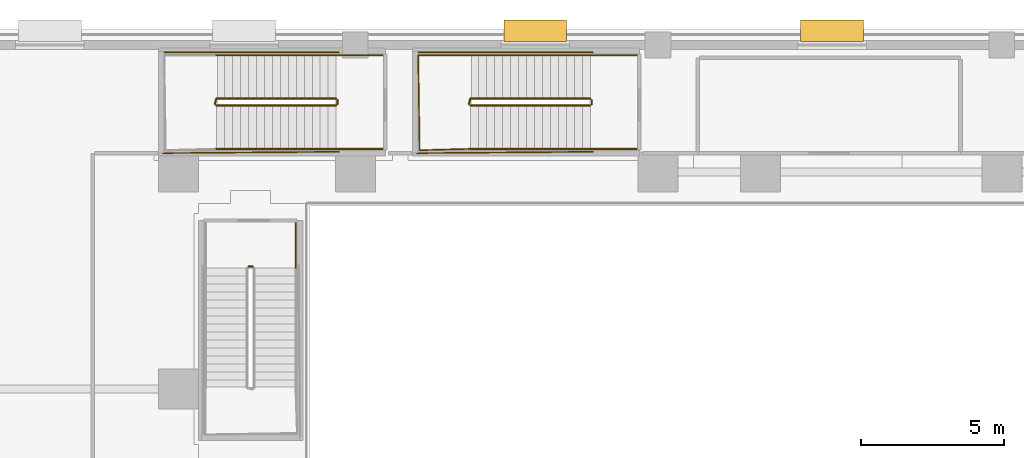
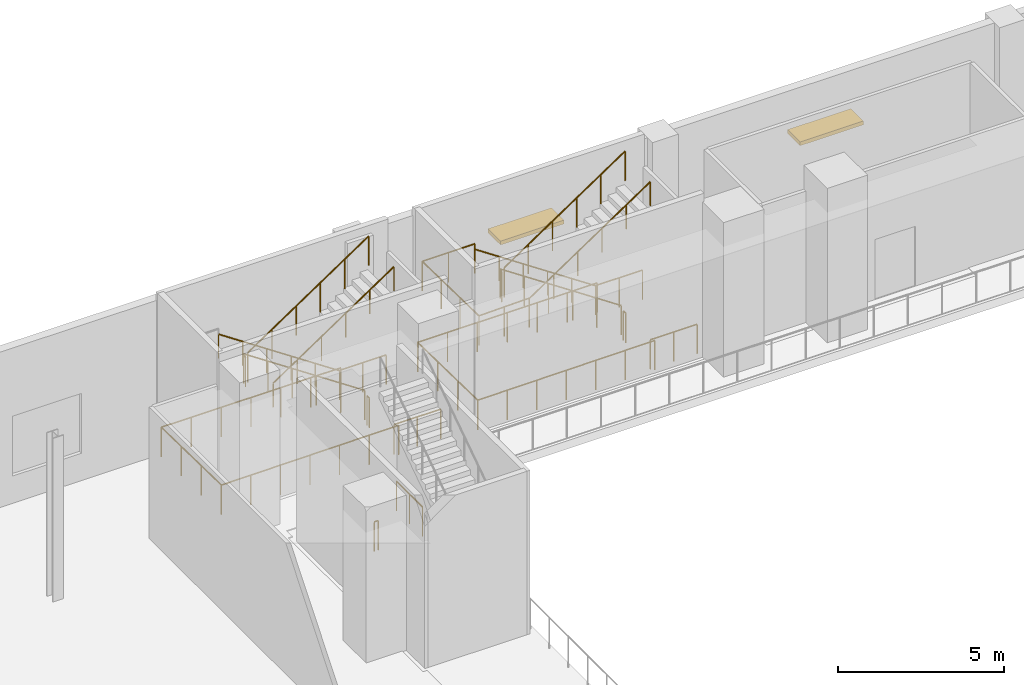
# One storey, part 22 of 29: 19 railings, 2 shading devices.
"""IFC4 building model written with IfcOpenShell, lengths in metres."""

import ifcopenshell
import ifcopenshell.guid

model = None  # the IFC model being written
_history = None  # IfcOwnerHistory: only IFC2X3 demands one
_inside = {}  # id of a spatial element -> (the spatial element, [elements in it])
_under = {}  # id of a project, library or spatial element -> (it, [spatial elements below it])
_declared = {}  # id of a project -> (the project, [libraries it declares])
_typed = {}  # id of a type object -> (the type object, [elements of that type])
_made_of = {}  # id of a material, layer set ... -> (it, [elements and type objects made of it])


def new_model(schema):
    """Start an empty IFC model of exactly this schema.

    Asked for "IFC4X3", IfcOpenShell would pick the latest addendum, in which some entities
    have other attributes; the version numbers below select the first issue.
    IFC2X3 requires an IfcOwnerHistory on every rooted entity: one is made here for all.
    """
    global model, _history
    if schema == "IFC4X3":
        model = ifcopenshell.file(schema_version=(4, 3, 0, 0))
    else:
        model = ifcopenshell.file(schema=schema)
    _inside.clear()
    _under.clear()
    _declared.clear()
    _typed.clear()
    _made_of.clear()
    _history = None
    if model.schema == "IFC2X3":
        org = make("IfcOrganization", Name="unknown")
        user = make(
            "IfcPersonAndOrganization",
            ThePerson=make("IfcPerson", FamilyName="unknown"),
            TheOrganization=org,
        )
        app = make(
            "IfcApplication",
            ApplicationDeveloper=org,
            Version="unknown",
            ApplicationFullName="unknown",
            ApplicationIdentifier="unknown",
        )
        _history = make(
            "IfcOwnerHistory",
            OwningUser=user,
            OwningApplication=app,
            ChangeAction="ADDED",
            CreationDate=0,
        )
    return model


def make(cls, **values):
    """One entity of the class cls with the attributes given. An attribute that is None is left unset."""
    return model.create_entity(
        cls, **{name: value for name, value in values.items() if value is not None}
    )


def rooted(cls, **values):
    """An entity with a GlobalId (a new one), such as an element, a storey or a relation."""
    return make(cls, GlobalId=ifcopenshell.guid.new(), OwnerHistory=_history, **values)


def si_unit(unit_type, name, prefix=None):
    """IfcSIUnit, for example si_unit("LENGTHUNIT", "METRE", prefix="MILLI")."""
    return make("IfcSIUnit", UnitType=unit_type, Prefix=prefix, Name=name)


def assignment(units):
    """IfcUnitAssignment: the units of a project."""
    return None if units is None else make("IfcUnitAssignment", Units=units)


def point(xyz):
    """IfcCartesianPoint."""
    return None if xyz is None else make("IfcCartesianPoint", Coordinates=xyz)


def direction(xyz):
    """IfcDirection."""
    return None if xyz is None else make("IfcDirection", DirectionRatios=xyz)


def frame(location, z_axis=None, x_axis=None):
    """IfcAxis2Placement3D, a coordinate frame: its origin and axes. An axis left out is left unset."""
    return make(
        "IfcAxis2Placement3D",
        Location=point(location),
        Axis=direction(z_axis),
        RefDirection=direction(x_axis),
    )


def frame_2d(location, x_axis=None):
    """IfcAxis2Placement2D, a coordinate frame in the plane: its origin and x axis."""
    return make(
        "IfcAxis2Placement2D", Location=point(location), RefDirection=direction(x_axis)
    )


def origin():
    """The frame at (0, 0, 0) with its axes left unset."""
    return frame((0.0, 0.0, 0.0))


def origin_2d():
    """The frame at (0, 0) in the plane with its x axis left unset."""
    return frame_2d((0.0, 0.0))


def place(relative_to, where):
    """IfcLocalPlacement: puts the frame where relative to a parent placement (None: the world)."""
    return make(
        "IfcLocalPlacement", PlacementRelTo=relative_to, RelativePlacement=where
    )


def context(
    kind, dimensions, precision=None, world=None, true_north=None, identifier=None
):
    """IfcGeometricRepresentationContext, for example the 3D "Model" context."""
    return make(
        "IfcGeometricRepresentationContext",
        ContextIdentifier=identifier,
        ContextType=kind,
        CoordinateSpaceDimension=dimensions,
        Precision=precision,
        WorldCoordinateSystem=world,
        TrueNorth=true_north,
    )


def subcontext(parent, identifier, kind, view, scale=None):
    """IfcGeometricRepresentationSubContext, for example "Body" below "Model"."""
    return make(
        "IfcGeometricRepresentationSubContext",
        ContextIdentifier=identifier,
        ContextType=kind,
        ParentContext=parent,
        TargetScale=scale,
        TargetView=view,
    )


def project(units=None, contexts=None):
    """IfcProject with its units and contexts."""
    return rooted(
        "IfcProject",
        Name="project",
        RepresentationContexts=contexts,
        UnitsInContext=assignment(units),
    )


def spatial(cls, under=None, at=None, **own):
    """A site, building, storey or space (cls), placed at a placement, below another one or the project."""
    s = rooted(cls, ObjectPlacement=at, **own)
    if under is not None:
        _under.setdefault(under.id(), (under, []))[1].append(s)
    return s


def profile(cls, at=None, kind="AREA", **sizes):
    """A parametric profile (cls). Its sizes go by their IFC names, for example OverallWidth=200.0."""
    return make(cls, ProfileType=kind, Position=at, **sizes)


def rectangle(**sizes):
    """IfcRectangleProfileDef."""
    return profile("IfcRectangleProfileDef", **sizes)


def circle(**sizes):
    """IfcCircleProfileDef."""
    return profile("IfcCircleProfileDef", **sizes)


def extrude(swept, where, along, depth):
    """IfcExtrudedAreaSolid: the profile swept, set in the frame where, extruded along a direction by depth."""
    return make(
        "IfcExtrudedAreaSolid",
        SweptArea=swept,
        Position=where,
        ExtrudedDirection=direction(along),
        Depth=depth,
    )


def shape(context_of_items, identifier, shape_type, items):
    """IfcShapeRepresentation: the items that make up one representation, for example the "Body"."""
    return make(
        "IfcShapeRepresentation",
        ContextOfItems=context_of_items,
        RepresentationIdentifier=identifier,
        RepresentationType=shape_type,
        Items=items,
    )


def material(Name=None, Category=None):
    """IfcMaterial."""
    return make("IfcMaterial", Name=Name, Category=Category)


def layer(
    of_material, thickness, ventilated=None, Name=None, Category=None, Priority=None
):
    """IfcMaterialLayer: one layer of a wall or slab, of a material (None: an air gap)."""
    return make(
        "IfcMaterialLayer",
        Material=of_material,
        LayerThickness=thickness,
        IsVentilated=ventilated,
        Name=Name,
        Category=Category,
        Priority=Priority,
    )


def layer_set(layers, Name=None):
    """IfcMaterialLayerSet."""
    return make("IfcMaterialLayerSet", MaterialLayers=layers, LayerSetName=Name)


def made_of(thing, what):
    """Note that an element or type object is made of a material, layer set ...; save() writes the relation."""
    if what is not None:
        _made_of.setdefault(what.id(), (what, []))[1].append(thing)
    return thing


def type_object(cls, material=None, **own):
    """A type object (cls), such as IfcWallType, which elements share."""
    return made_of(rooted(cls, **own), material)


def element(
    cls,
    number,
    at=None,
    inside=None,
    cuts=None,
    type_object=None,
    material=None,
    context=None,
    identifier="Body",
    shape_type=None,
    held_by="IfcProductDefinitionShape",
    body=None,
    shapes=None,
    **own,
):
    """One element of the class cls, such as IfcWall. Its Tag is "e" and its number.

    at: its placement. inside: the storey or other place that contains it. cuts: it is an
    opening in that element (IfcRelVoidsElement). A single representation is given by context,
    identifier, shape_type and body (its items); several are given by shapes. held_by: the class
    of the entity that holds the representations. save() writes the other relations.
    """
    e = rooted(cls, Tag="e%d" % number, ObjectPlacement=at, **own)
    if body is not None:
        shapes = [shape(context, identifier, shape_type, body)]
    if shapes is not None:
        e.Representation = make(held_by, Representations=shapes)
    if inside is not None:
        _inside.setdefault(inside.id(), (inside, []))[1].append(e)
    if cuts is not None:
        rooted(
            "IfcRelVoidsElement", RelatingBuildingElement=cuts, RelatedOpeningElement=e
        )
    if type_object is not None:
        _typed.setdefault(type_object.id(), (type_object, []))[1].append(e)
    return made_of(e, material)


def aggregate(whole, parts):
    """IfcRelAggregates: a whole, such as a stair, and the parts it consists of."""
    return rooted("IfcRelAggregates", RelatingObject=whole, RelatedObjects=parts)


def save(model, path):
    """Write the relations noted so far, then the file.

    IfcRelAggregates (storeys below a building ...), IfcRelContainedInSpatialStructure (elements
    in a storey), IfcRelDefinesByType, IfcRelAssociatesMaterial and IfcRelDeclares: one each for
    every whole, place, type object, material and project.
    """
    for whole, parts in _under.values():
        aggregate(whole, parts)
    for where, things in _inside.values():
        rooted(
            "IfcRelContainedInSpatialStructure",
            RelatedElements=things,
            RelatingStructure=where,
        )
    for kind, things in _typed.values():
        rooted("IfcRelDefinesByType", RelatedObjects=things, RelatingType=kind)
    for what, things in _made_of.values():
        rooted("IfcRelAssociatesMaterial", RelatedObjects=things, RelatingMaterial=what)
    for by, libraries in _declared.values():
        rooted("IfcRelDeclares", RelatingContext=by, RelatedDefinitions=libraries)
    model.write(path)


model = new_model("IFC4")

# Units and contexts
model_context = context("Model", 3, precision=1e-05, world=origin(), true_north=direction((0.0, 1.0)))
body_context = subcontext(model_context, "Body", "Model", "MODEL_VIEW")
ifc_project = project(units=[si_unit("LENGTHUNIT", "METRE"), si_unit("AREAUNIT", "SQUARE_METRE"), si_unit("VOLUMEUNIT", "CUBIC_METRE"), si_unit("PLANEANGLEUNIT", "RADIAN"), si_unit("MASSUNIT", "GRAM", prefix="KILO")], contexts=[model_context])

# Site, building, storey
site_placement = place(None, origin())
site = spatial("IfcSite", under=ifc_project, at=site_placement, CompositionType="ELEMENT")
building_placement = place(site_placement, origin())
building = spatial("IfcBuilding", under=site, at=building_placement, Name="Ndaravel Arena Tower", CompositionType="ELEMENT")
storey_placement = place(building_placement, frame((0.0, 0.0, 12.0)))
storey = spatial("IfcBuildingStorey", under=building, at=storey_placement, Name="L02", CompositionType="ELEMENT", Elevation=12.0)

# Railings
ifc_material_1 = material(Name="Steel S355", Category="steel")
ifc_layer_1 = layer(ifc_material_1, 0.06005859375)
ifc_layer_set_1 = layer_set([ifc_layer_1], Name="Steel S355")
railing_type_1 = type_object("IfcRailingType", Name="RAIL-STAIR-GD1100", PredefinedType="GUARDRAIL", material=ifc_layer_set_1)
railing_1_placement = place(storey_placement, frame((19.330078125, 45.570068359375, 0.1875)))
element("IfcRailing", 1, at=railing_1_placement, inside=storey, type_object=railing_type_1, Name="L02 ST-A08 stair guard 1", PredefinedType="GUARDRAIL", context=body_context, shape_type="SweptSolid", body=[
    extrude(circle(Radius=0.02392578125, at=origin_2d()), frame((0.0, 0.0, 1.076171875), z_axis=(-0.830919138977, 0.0, 0.55639319234), x_axis=(0.0, -1.0, 0.0)), (0.0, 0.0, 1.0), 5.054931640625),
    extrude(circle(Radius=0.02392578125, at=origin_2d()), frame((-4.2001953125, 0.0, 3.888671875), z_axis=(-0.253331722487, -0.967379469692, 0.0), x_axis=(0.967379469692, -0.253331722487, 0.0)), (0.0, 0.0, 1.0), 0.196533203125),
    extrude(circle(Radius=0.02099609375, at=origin_2d()), origin(), (0.0, 0.0, 1.0), 1.052001953125),
    extrude(circle(Radius=0.02099609375, at=origin_2d()), frame((-0.840087890625, 0.0, 0.5625)), (0.0, 0.0, 1.0), 1.052001953125),
    extrude(circle(Radius=0.02099609375, at=origin_2d()), frame((-1.68017578125, 0.0, 1.125)), (0.0, 0.0, 1.0), 1.052001953125),
    extrude(circle(Radius=0.02099609375, at=origin_2d()), frame((-2.52001953125, 0.0, 1.6875)), (0.0, 0.0, 1.0), 1.052001953125),
    extrude(circle(Radius=0.02099609375, at=origin_2d()), frame((-3.360107421875, 0.0, 2.25)), (0.0, 0.0, 1.0), 1.052001953125),
    extrude(circle(Radius=0.02099609375, at=origin_2d()), frame((-4.2001953125, 0.0, 2.8125)), (0.0, 0.0, 1.0), 1.052001953125),
    extrude(circle(Radius=0.02099609375, at=origin_2d()), frame((-4.25, -0.190185546875, 2.8125)), (0.0, 0.0, 1.0), 1.052001953125),
])
railing_2_placement = place(storey_placement, frame((15.1298828125, 45.330078125, 3.1875)))
element("IfcRailing", 2, at=railing_2_placement, inside=storey, type_object=railing_type_1, Name="L02 ST-A08 stair guard 3", PredefinedType="GUARDRAIL", context=body_context, shape_type="SweptSolid", body=[
    extrude(circle(Radius=0.02392578125, at=origin_2d()), frame((0.0, 0.0, 1.076171875), z_axis=(0.830919138977, 0.0, 0.55639319234), x_axis=(0.0, 1.0, 0.0)), (0.0, 0.0, 1.0), 5.054931640625),
    extrude(circle(Radius=0.02099609375, at=origin_2d()), origin(), (0.0, 0.0, 1.0), 1.052001953125),
    extrude(circle(Radius=0.02099609375, at=origin_2d()), frame((0.840087890625, 0.0, 0.5625)), (0.0, 0.0, 1.0), 1.052001953125),
    extrude(circle(Radius=0.02099609375, at=origin_2d()), frame((1.68017578125, 0.0, 1.125)), (0.0, 0.0, 1.0), 1.052001953125),
    extrude(circle(Radius=0.02099609375, at=origin_2d()), frame((2.52001953125, 0.0, 1.6875)), (0.0, 0.0, 1.0), 1.052001953125),
    extrude(circle(Radius=0.02099609375, at=origin_2d()), frame((3.360107421875, 0.0, 2.25)), (0.0, 0.0, 1.0), 1.052001953125),
    extrude(circle(Radius=0.02099609375, at=origin_2d()), frame((4.2001953125, 0.0, 2.8125)), (0.0, 0.0, 1.0), 1.052001953125),
])
railing_3_placement = place(storey_placement, frame((19.3798828125, 45.52001953125, 0.0)))
element("IfcRailing", 3, at=railing_3_placement, inside=storey, type_object=railing_type_1, Name="L02 ST-A08 stair guard 4", PredefinedType="GUARDRAIL", context=body_context, shape_type="SweptSolid", body=[
    extrude(circle(Radius=0.02392578125, at=origin_2d()), frame((0.0, 0.0, 1.076171875), z_axis=(0.0, -1.0, 0.0), x_axis=(1.0, 0.0, 0.0)), (0.0, 0.0, 1.0), 0.14013671875),
    extrude(circle(Radius=0.02099609375, at=origin_2d()), origin(), (0.0, 0.0, 1.0), 1.052001953125),
    extrude(circle(Radius=0.02099609375, at=origin_2d()), frame((0.0, -0.14013671875, 0.0)), (0.0, 0.0, 1.0), 1.052001953125),
])
for number, where, name in (
    (4, (20.949951171875, 47.090087890625, 0.0), "L02 ST-A08 stair guard 5"),
    (5, (20.949951171875, 43.81005859375, 0.0), "L02 ST-A08 stair guard 6"),
):
    element("IfcRailing", number, at=place(storey_placement, frame(where)), inside=storey, type_object=railing_type_1, Name=name, PredefinedType="GUARDRAIL", context=body_context, shape_type="SweptSolid", body=[
        extrude(circle(Radius=0.02392578125, at=origin_2d()), frame((0.0, 0.0, 1.076171875), z_axis=(-1.0, 0.0, 0.0), x_axis=(0.0, -1.0, 0.0)), (0.0, 0.0, 1.0), 1.619873046875),
        extrude(circle(Radius=0.02099609375, at=origin_2d()), origin(), (0.0, 0.0, 1.0), 1.052001953125),
        extrude(circle(Radius=0.02099609375, at=origin_2d()), frame((-0.81005859375, 0.0, 0.0)), (0.0, 0.0, 1.0), 1.052001953125),
        extrude(circle(Radius=0.02099609375, at=origin_2d()), frame((-1.619873046875, 0.0, 0.0)), (0.0, 0.0, 1.0), 1.052001953125),
    ])
railing_4_placement = place(storey_placement, frame((19.429931640625, 47.18994140625, 0.0)))
element("IfcRailing", 6, at=railing_4_placement, inside=storey, type_object=railing_type_1, Name="L02 ST-A08 stair guard 7", PredefinedType="GUARDRAIL", context=body_context, shape_type="SweptSolid", body=[
    extrude(circle(Radius=0.02392578125, at=origin_2d()), frame((0.0, 0.0, 1.076171875), z_axis=(-1.0, 0.0, 0.0), x_axis=(0.0, -1.0, 0.0)), (0.0, 0.0, 1.0), 6.22998046875),
    extrude(circle(Radius=0.02392578125, at=origin_2d()), frame((-6.22998046875, 0.0, 1.076171875), z_axis=(0.014176595818, -0.999899507016, 0.0), x_axis=(0.999899507016, 0.014176595818, 0.0)), (0.0, 0.0, 1.0), 3.5302734375),
    extrude(circle(Radius=0.02392578125, at=origin_2d()), frame((-6.179931640625, -3.530029296875, 1.076171875), z_axis=(0.999967207908, 0.008098339889, 0.0), x_axis=(-0.008098339889, 0.999967207908, 0.0)), (0.0, 0.0, 1.0), 6.18017578125),
    extrude(circle(Radius=0.02099609375, at=origin_2d()), origin(), (0.0, 0.0, 1.0), 1.052001953125),
    extrude(circle(Radius=0.02099609375, at=origin_2d()), frame((-1.038330078125, 0.0, 0.0)), (0.0, 0.0, 1.0), 1.052001953125),
    extrude(circle(Radius=0.02099609375, at=origin_2d()), frame((-2.07666015625, 0.0, 0.0)), (0.0, 0.0, 1.0), 1.052001953125),
    extrude(circle(Radius=0.02099609375, at=origin_2d()), frame((-3.114990234375, 0.0, 0.0)), (0.0, 0.0, 1.0), 1.052001953125),
    extrude(circle(Radius=0.02099609375, at=origin_2d()), frame((-4.1533203125, 0.0, 0.0)), (0.0, 0.0, 1.0), 1.052001953125),
    extrude(circle(Radius=0.02099609375, at=origin_2d()), frame((-5.191650390625, 0.0, 0.0)), (0.0, 0.0, 1.0), 1.052001953125),
    extrude(circle(Radius=0.02099609375, at=origin_2d()), frame((-6.22998046875, 0.0, 0.0)), (0.0, 0.0, 1.0), 1.052001953125),
    extrude(circle(Radius=0.02099609375, at=origin_2d()), frame((-6.21337890625, -1.1767578125, 0.0)), (0.0, 0.0, 1.0), 1.052001953125),
    extrude(circle(Radius=0.02099609375, at=origin_2d()), frame((-6.196533203125, -2.353271484375, 0.0)), (0.0, 0.0, 1.0), 1.052001953125),
    extrude(circle(Radius=0.02099609375, at=origin_2d()), frame((-6.179931640625, -3.530029296875, 0.0)), (0.0, 0.0, 1.0), 1.052001953125),
    extrude(circle(Radius=0.02099609375, at=origin_2d()), frame((-5.14990234375, -3.521728515625, 0.0)), (0.0, 0.0, 1.0), 1.052001953125),
    extrude(circle(Radius=0.02099609375, at=origin_2d()), frame((-4.119873046875, -3.513427734375, 0.0)), (0.0, 0.0, 1.0), 1.052001953125),
    extrude(circle(Radius=0.02099609375, at=origin_2d()), frame((-3.08984375, -3.5048828125, 0.0)), (0.0, 0.0, 1.0), 1.052001953125),
    extrude(circle(Radius=0.02099609375, at=origin_2d()), frame((-2.06005859375, -3.49658203125, 0.0)), (0.0, 0.0, 1.0), 1.052001953125),
    extrude(circle(Radius=0.02099609375, at=origin_2d()), frame((-1.030029296875, -3.48828125, 0.0)), (0.0, 0.0, 1.0), 1.052001953125),
    extrude(circle(Radius=0.02099609375, at=origin_2d()), frame((0.0, -3.47998046875, 0.0)), (0.0, 0.0, 1.0), 1.052001953125),
])
railing_5_placement = place(storey_placement, frame((28.22998046875, 45.570068359375, 0.1875)))
element("IfcRailing", 7, at=railing_5_placement, inside=storey, type_object=railing_type_1, Name="L02 ST-A09 stair guard 1", PredefinedType="GUARDRAIL", context=body_context, shape_type="SweptSolid", body=[
    extrude(circle(Radius=0.02392578125, at=origin_2d()), frame((0.0, 0.0, 1.076171875), z_axis=(-0.830904186295, 0.0, 0.556415522067), x_axis=(0.0, -1.0, 0.0)), (0.0, 0.0, 1.0), 5.0546875),
    extrude(circle(Radius=0.02392578125, at=origin_2d()), frame((-4.199951171875, 0.0, 3.888671875), z_axis=(-0.25449329928, -0.967074537263, 0.0), x_axis=(0.967074537263, -0.25449329928, 0.0)), (0.0, 0.0, 1.0), 0.19677734375),
    extrude(circle(Radius=0.02099609375, at=origin_2d()), origin(), (0.0, 0.0, 1.0), 1.052001953125),
    extrude(circle(Radius=0.02099609375, at=origin_2d()), frame((-0.840087890625, 0.0, 0.5625)), (0.0, 0.0, 1.0), 1.052001953125),
    extrude(circle(Radius=0.02099609375, at=origin_2d()), frame((-1.679931640625, 0.0, 1.125)), (0.0, 0.0, 1.0), 1.052001953125),
    extrude(circle(Radius=0.02099609375, at=origin_2d()), frame((-2.52001953125, 0.0, 1.6875)), (0.0, 0.0, 1.0), 1.052001953125),
    extrude(circle(Radius=0.02099609375, at=origin_2d()), frame((-3.35986328125, 0.0, 2.25)), (0.0, 0.0, 1.0), 1.052001953125),
    extrude(circle(Radius=0.02099609375, at=origin_2d()), frame((-4.199951171875, 0.0, 2.8125)), (0.0, 0.0, 1.0), 1.052001953125),
    extrude(circle(Radius=0.02099609375, at=origin_2d()), frame((-4.25, -0.190185546875, 2.8125)), (0.0, 0.0, 1.0), 1.052001953125),
])
railing_6_placement = place(storey_placement, frame((24.030029296875, 47.090087890625, 3.0)))
element("IfcRailing", 8, at=railing_6_placement, inside=storey, type_object=railing_type_1, Name="L02 ST-A09 stair guard 2", PredefinedType="GUARDRAIL", context=body_context, shape_type="SweptSolid", body=[
    extrude(circle(Radius=0.02392578125, at=origin_2d()), frame((0.0, 0.0, 1.076171875), z_axis=(-1.0, 0.0, 0.0), x_axis=(0.0, -1.0, 0.0)), (0.0, 0.0, 1.0), 1.830078125),
    extrude(circle(Radius=0.02392578125, at=origin_2d()), frame((-1.830078125, 0.0, 1.076171875), z_axis=(0.015027628384, -0.999887078817, 0.0), x_axis=(0.999887078817, 0.015027628384, 0.0)), (0.0, 0.0, 1.0), 3.33056640625),
    extrude(circle(Radius=0.02392578125, at=origin_2d()), frame((-1.780029296875, -3.330078125, 1.076171875), z_axis=(0.999604955407, 0.028105748986, 0.0), x_axis=(-0.028105748986, 0.999604955407, 0.0)), (0.0, 0.0, 1.0), 1.78076171875),
    extrude(circle(Radius=0.02099609375, at=origin_2d()), origin(), (0.0, 0.0, 1.0), 1.052001953125),
    extrude(circle(Radius=0.02099609375, at=origin_2d()), frame((-0.9150390625, 0.0, 0.0)), (0.0, 0.0, 1.0), 1.052001953125),
    extrude(circle(Radius=0.02099609375, at=origin_2d()), frame((-1.830078125, 0.0, 0.0)), (0.0, 0.0, 1.0), 1.052001953125),
    extrude(circle(Radius=0.02099609375, at=origin_2d()), frame((-1.8134765625, -1.110107421875, 0.0)), (0.0, 0.0, 1.0), 1.052001953125),
    extrude(circle(Radius=0.02099609375, at=origin_2d()), frame((-1.796630859375, -2.219970703125, 0.0)), (0.0, 0.0, 1.0), 1.052001953125),
    extrude(circle(Radius=0.02099609375, at=origin_2d()), frame((-1.780029296875, -3.330078125, 0.0)), (0.0, 0.0, 1.0), 1.052001953125),
    extrude(circle(Radius=0.02099609375, at=origin_2d()), frame((-0.89013671875, -3.30517578125, 0.0)), (0.0, 0.0, 1.0), 1.052001953125),
    extrude(circle(Radius=0.02099609375, at=origin_2d()), frame((0.0, -3.280029296875, 0.0)), (0.0, 0.0, 1.0), 1.052001953125),
])
railing_7_placement = place(storey_placement, frame((24.030029296875, 45.330078125, 3.1875)))
element("IfcRailing", 9, at=railing_7_placement, inside=storey, type_object=railing_type_1, Name="L02 ST-A09 stair guard 3", PredefinedType="GUARDRAIL", context=body_context, shape_type="SweptSolid", body=[
    extrude(circle(Radius=0.02392578125, at=origin_2d()), frame((0.0, 0.0, 1.076171875), z_axis=(0.830904186295, 0.0, 0.556415522067), x_axis=(0.0, 1.0, 0.0)), (0.0, 0.0, 1.0), 5.0546875),
    extrude(circle(Radius=0.02099609375, at=origin_2d()), origin(), (0.0, 0.0, 1.0), 1.052001953125),
    extrude(circle(Radius=0.02099609375, at=origin_2d()), frame((0.840087890625, 0.0, 0.5625)), (0.0, 0.0, 1.0), 1.052001953125),
    extrude(circle(Radius=0.02099609375, at=origin_2d()), frame((1.679931640625, 0.0, 1.125)), (0.0, 0.0, 1.0), 1.052001953125),
    extrude(circle(Radius=0.02099609375, at=origin_2d()), frame((2.52001953125, 0.0, 1.6875)), (0.0, 0.0, 1.0), 1.052001953125),
    extrude(circle(Radius=0.02099609375, at=origin_2d()), frame((3.35986328125, 0.0, 2.25)), (0.0, 0.0, 1.0), 1.052001953125),
    extrude(circle(Radius=0.02099609375, at=origin_2d()), frame((4.199951171875, 0.0, 2.8125)), (0.0, 0.0, 1.0), 1.052001953125),
])
railing_8_placement = place(storey_placement, frame((28.280029296875, 45.52001953125, 0.0)))
element("IfcRailing", 10, at=railing_8_placement, inside=storey, type_object=railing_type_1, Name="L02 ST-A09 stair guard 4", PredefinedType="GUARDRAIL", context=body_context, shape_type="SweptSolid", body=[
    extrude(circle(Radius=0.02392578125, at=origin_2d()), frame((0.0, 0.0, 1.076171875), z_axis=(0.0, -1.0, 0.0), x_axis=(1.0, 0.0, 0.0)), (0.0, 0.0, 1.0), 0.14013671875),
    extrude(circle(Radius=0.02099609375, at=origin_2d()), origin(), (0.0, 0.0, 1.0), 1.052001953125),
    extrude(circle(Radius=0.02099609375, at=origin_2d()), frame((0.0, -0.14013671875, 0.0)), (0.0, 0.0, 1.0), 1.052001953125),
])
for number, where, name in (
    (11, (29.85009765625, 47.090087890625, 0.0), "L02 ST-A09 stair guard 5"),
    (12, (29.85009765625, 43.81005859375, 0.0), "L02 ST-A09 stair guard 6"),
):
    element("IfcRailing", number, at=place(storey_placement, frame(where)), inside=storey, type_object=railing_type_1, Name=name, PredefinedType="GUARDRAIL", context=body_context, shape_type="SweptSolid", body=[
        extrude(circle(Radius=0.02392578125, at=origin_2d()), frame((0.0, 0.0, 1.076171875), z_axis=(-1.0, 0.0, 0.0), x_axis=(0.0, -1.0, 0.0)), (0.0, 0.0, 1.0), 1.6201171875),
        extrude(circle(Radius=0.02099609375, at=origin_2d()), origin(), (0.0, 0.0, 1.0), 1.052001953125),
        extrude(circle(Radius=0.02099609375, at=origin_2d()), frame((-0.81005859375, 0.0, 0.0)), (0.0, 0.0, 1.0), 1.052001953125),
        extrude(circle(Radius=0.02099609375, at=origin_2d()), frame((-1.6201171875, 0.0, 0.0)), (0.0, 0.0, 1.0), 1.052001953125),
    ])
railing_9_placement = place(storey_placement, frame((28.330078125, 47.18994140625, 0.0)))
element("IfcRailing", 13, at=railing_9_placement, inside=storey, type_object=railing_type_1, Name="L02 ST-A09 stair guard 7", PredefinedType="GUARDRAIL", context=body_context, shape_type="SweptSolid", body=[
    extrude(circle(Radius=0.02392578125, at=origin_2d()), frame((0.0, 0.0, 1.076171875), z_axis=(-1.0, 0.0, 0.0), x_axis=(0.0, -1.0, 0.0)), (0.0, 0.0, 1.0), 6.22998046875),
    extrude(circle(Radius=0.02392578125, at=origin_2d()), frame((-6.22998046875, 0.0, 1.076171875), z_axis=(0.014107455489, -0.999900484898, 0.0), x_axis=(0.999900484898, 0.014107455489, 0.0)), (0.0, 0.0, 1.0), 3.5302734375),
    extrude(circle(Radius=0.02392578125, at=origin_2d()), frame((-6.18017578125, -3.530029296875, 1.076171875), z_axis=(0.999967210499, 0.008098019995, 0.0), x_axis=(-0.008098019995, 0.999967210499, 0.0)), (0.0, 0.0, 1.0), 6.180419921875),
    extrude(circle(Radius=0.02099609375, at=origin_2d()), origin(), (0.0, 0.0, 1.0), 1.052001953125),
    extrude(circle(Radius=0.02099609375, at=origin_2d()), frame((-1.038330078125, 0.0, 0.0)), (0.0, 0.0, 1.0), 1.052001953125),
    extrude(circle(Radius=0.02099609375, at=origin_2d()), frame((-2.07666015625, 0.0, 0.0)), (0.0, 0.0, 1.0), 1.052001953125),
    extrude(circle(Radius=0.02099609375, at=origin_2d()), frame((-3.114990234375, 0.0, 0.0)), (0.0, 0.0, 1.0), 1.052001953125),
    extrude(circle(Radius=0.02099609375, at=origin_2d()), frame((-4.1533203125, 0.0, 0.0)), (0.0, 0.0, 1.0), 1.052001953125),
    extrude(circle(Radius=0.02099609375, at=origin_2d()), frame((-5.191650390625, 0.0, 0.0)), (0.0, 0.0, 1.0), 1.052001953125),
    extrude(circle(Radius=0.02099609375, at=origin_2d()), frame((-6.22998046875, 0.0, 0.0)), (0.0, 0.0, 1.0), 1.052001953125),
    extrude(circle(Radius=0.02099609375, at=origin_2d()), frame((-6.21337890625, -1.1767578125, 0.0)), (0.0, 0.0, 1.0), 1.052001953125),
    extrude(circle(Radius=0.02099609375, at=origin_2d()), frame((-6.19677734375, -2.353271484375, 0.0)), (0.0, 0.0, 1.0), 1.052001953125),
    extrude(circle(Radius=0.02099609375, at=origin_2d()), frame((-6.18017578125, -3.530029296875, 0.0)), (0.0, 0.0, 1.0), 1.052001953125),
    extrude(circle(Radius=0.02099609375, at=origin_2d()), frame((-5.150146484375, -3.521728515625, 0.0)), (0.0, 0.0, 1.0), 1.052001953125),
    extrude(circle(Radius=0.02099609375, at=origin_2d()), frame((-4.1201171875, -3.513427734375, 0.0)), (0.0, 0.0, 1.0), 1.052001953125),
    extrude(circle(Radius=0.02099609375, at=origin_2d()), frame((-3.090087890625, -3.5048828125, 0.0)), (0.0, 0.0, 1.0), 1.052001953125),
    extrude(circle(Radius=0.02099609375, at=origin_2d()), frame((-2.06005859375, -3.49658203125, 0.0)), (0.0, 0.0, 1.0), 1.052001953125),
    extrude(circle(Radius=0.02099609375, at=origin_2d()), frame((-1.030029296875, -3.48828125, 0.0)), (0.0, 0.0, 1.0), 1.052001953125),
    extrude(circle(Radius=0.02099609375, at=origin_2d()), frame((0.0, -3.47998046875, 0.0)), (0.0, 0.0, 1.0), 1.052001953125),
])
railing_10_placement = place(storey_placement, frame((16.260009765625, 39.68994140625, 0.0)))
element("IfcRailing", 14, at=railing_10_placement, inside=storey, type_object=railing_type_1, Name="L02 ST-VOM-2 stair guard 4", PredefinedType="GUARDRAIL", context=body_context, shape_type="SweptSolid", body=[
    extrude(circle(Radius=0.02392578125, at=origin_2d()), frame((0.0, 0.0, 1.076171875), z_axis=(1.0, 0.0, 0.0), x_axis=(0.0, 1.0, 0.0)), (0.0, 0.0, 1.0), 0.139892578125),
    extrude(circle(Radius=0.02099609375, at=origin_2d()), origin(), (0.0, 0.0, 1.0), 1.052001953125),
    extrude(circle(Radius=0.02099609375, at=origin_2d()), frame((0.139892578125, 0.0, 0.0)), (0.0, 0.0, 1.0), 1.052001953125),
])
railing_11_placement = place(storey_placement, frame((17.909912109375, 41.199951171875, 0.0)))
element("IfcRailing", 15, at=railing_11_placement, inside=storey, type_object=railing_type_1, Name="L02 ST-VOM-2 stair guard 6", PredefinedType="GUARDRAIL", context=body_context, shape_type="SweptSolid", body=[
    extrude(circle(Radius=0.02392578125, at=origin_2d()), frame((0.0, 0.0, 1.076171875), z_axis=(0.0, -1.0, 0.0), x_axis=(1.0, 0.0, 0.0)), (0.0, 0.0, 1.0), 1.56005859375),
    extrude(circle(Radius=0.02099609375, at=origin_2d()), origin(), (0.0, 0.0, 1.0), 1.052001953125),
    extrude(circle(Radius=0.02099609375, at=origin_2d()), frame((0.0, -0.780029296875, 0.0)), (0.0, 0.0, 1.0), 1.052001953125),
    extrude(circle(Radius=0.02099609375, at=origin_2d()), frame((0.0, -1.56005859375, 0.0)), (0.0, 0.0, 1.0), 1.052001953125),
])
ifc_material_2 = material(Name="Steel S355", Category="steel")
ifc_layer_2 = layer(ifc_material_2, 0.050048828125)
ifc_layer_set_2 = layer_set([ifc_layer_2], Name="Steel S355")
railing_type_2 = type_object("IfcRailingType", Name="RAIL-STAIR-HR920", PredefinedType="HANDRAIL", material=ifc_layer_set_2)
railing_12_placement = place(storey_placement, frame((19.330078125, 47.090087890625, 0.1875)))
element("IfcRailing", 16, at=railing_12_placement, inside=storey, type_object=railing_type_2, Name="L02 ST-A08 stair handrail 1", PredefinedType="HANDRAIL", context=body_context, shape_type="SweptSolid", body=[
    extrude(circle(Radius=0.02392578125, at=origin_2d()), frame((0.0, 0.0, 0.8759765625), z_axis=(-0.830919138977, 0.0, 0.55639319234), x_axis=(0.0, -1.0, 0.0)), (0.0, 0.0, 1.0), 5.054931640625),
    extrude(circle(Radius=0.02099609375, at=origin_2d()), origin(), (0.0, 0.0, 1.0), 0.851806640625),
    extrude(circle(Radius=0.02099609375, at=origin_2d()), frame((-0.840087890625, 0.0, 0.5625)), (0.0, 0.0, 1.0), 0.851806640625),
    extrude(circle(Radius=0.02099609375, at=origin_2d()), frame((-1.68017578125, 0.0, 1.125)), (0.0, 0.0, 1.0), 0.851806640625),
    extrude(circle(Radius=0.02099609375, at=origin_2d()), frame((-2.52001953125, 0.0, 1.6875)), (0.0, 0.0, 1.0), 0.851806640625),
    extrude(circle(Radius=0.02099609375, at=origin_2d()), frame((-3.360107421875, 0.0, 2.25)), (0.0, 0.0, 1.0), 0.851806640625),
    extrude(circle(Radius=0.02099609375, at=origin_2d()), frame((-4.2001953125, 0.0, 2.8125)), (0.0, 0.0, 1.0), 0.851806640625),
])
railing_13_placement = place(storey_placement, frame((15.1298828125, 43.81005859375, 3.1875)))
element("IfcRailing", 17, at=railing_13_placement, inside=storey, type_object=railing_type_2, Name="L02 ST-A08 stair handrail 2", PredefinedType="HANDRAIL", context=body_context, shape_type="SweptSolid", body=[
    extrude(circle(Radius=0.02392578125, at=origin_2d()), frame((0.0, 0.0, 0.8759765625), z_axis=(0.830919138977, 0.0, 0.55639319234), x_axis=(0.0, 1.0, 0.0)), (0.0, 0.0, 1.0), 5.054931640625),
    extrude(circle(Radius=0.02099609375, at=origin_2d()), origin(), (0.0, 0.0, 1.0), 0.851806640625),
    extrude(circle(Radius=0.02099609375, at=origin_2d()), frame((0.840087890625, 0.0, 0.5625)), (0.0, 0.0, 1.0), 0.851806640625),
    extrude(circle(Radius=0.02099609375, at=origin_2d()), frame((1.68017578125, 0.0, 1.125)), (0.0, 0.0, 1.0), 0.851806640625),
    extrude(circle(Radius=0.02099609375, at=origin_2d()), frame((2.52001953125, 0.0, 1.6875)), (0.0, 0.0, 1.0), 0.851806640625),
    extrude(circle(Radius=0.02099609375, at=origin_2d()), frame((3.360107421875, 0.0, 2.25)), (0.0, 0.0, 1.0), 0.851806640625),
    extrude(circle(Radius=0.02099609375, at=origin_2d()), frame((4.2001953125, 0.0, 2.8125)), (0.0, 0.0, 1.0), 0.851806640625),
])
railing_14_placement = place(storey_placement, frame((28.22998046875, 47.090087890625, 0.1875)))
element("IfcRailing", 18, at=railing_14_placement, inside=storey, type_object=railing_type_2, Name="L02 ST-A09 stair handrail 1", PredefinedType="HANDRAIL", context=body_context, shape_type="SweptSolid", body=[
    extrude(circle(Radius=0.02392578125, at=origin_2d()), frame((0.0, 0.0, 0.8759765625), z_axis=(-0.830904186295, 0.0, 0.556415522067), x_axis=(0.0, -1.0, 0.0)), (0.0, 0.0, 1.0), 5.0546875),
    extrude(circle(Radius=0.02099609375, at=origin_2d()), origin(), (0.0, 0.0, 1.0), 0.851806640625),
    extrude(circle(Radius=0.02099609375, at=origin_2d()), frame((-0.840087890625, 0.0, 0.5625)), (0.0, 0.0, 1.0), 0.851806640625),
    extrude(circle(Radius=0.02099609375, at=origin_2d()), frame((-1.679931640625, 0.0, 1.125)), (0.0, 0.0, 1.0), 0.851806640625),
    extrude(circle(Radius=0.02099609375, at=origin_2d()), frame((-2.52001953125, 0.0, 1.6875)), (0.0, 0.0, 1.0), 0.851806640625),
    extrude(circle(Radius=0.02099609375, at=origin_2d()), frame((-3.35986328125, 0.0, 2.25)), (0.0, 0.0, 1.0), 0.851806640625),
    extrude(circle(Radius=0.02099609375, at=origin_2d()), frame((-4.199951171875, 0.0, 2.8125)), (0.0, 0.0, 1.0), 0.851806640625),
])
railing_15_placement = place(storey_placement, frame((24.030029296875, 43.81005859375, 3.1875)))
element("IfcRailing", 19, at=railing_15_placement, inside=storey, type_object=railing_type_2, Name="L02 ST-A09 stair handrail 2", PredefinedType="HANDRAIL", context=body_context, shape_type="SweptSolid", body=[
    extrude(circle(Radius=0.02392578125, at=origin_2d()), frame((0.0, 0.0, 0.8759765625), z_axis=(0.830904186295, 0.0, 0.556415522067), x_axis=(0.0, 1.0, 0.0)), (0.0, 0.0, 1.0), 5.0546875),
    extrude(circle(Radius=0.02099609375, at=origin_2d()), origin(), (0.0, 0.0, 1.0), 0.851806640625),
    extrude(circle(Radius=0.02099609375, at=origin_2d()), frame((0.840087890625, 0.0, 0.5625)), (0.0, 0.0, 1.0), 0.851806640625),
    extrude(circle(Radius=0.02099609375, at=origin_2d()), frame((1.679931640625, 0.0, 1.125)), (0.0, 0.0, 1.0), 0.851806640625),
    extrude(circle(Radius=0.02099609375, at=origin_2d()), frame((2.52001953125, 0.0, 1.6875)), (0.0, 0.0, 1.0), 0.851806640625),
    extrude(circle(Radius=0.02099609375, at=origin_2d()), frame((3.35986328125, 0.0, 2.25)), (0.0, 0.0, 1.0), 0.851806640625),
    extrude(circle(Radius=0.02099609375, at=origin_2d()), frame((4.199951171875, 0.0, 2.8125)), (0.0, 0.0, 1.0), 0.851806640625),
])

# Shading devices
ifc_material_3 = material(Name="Aluminium", Category="aluminium")
shading_device_type = type_object("IfcShadingDeviceType", Name="SHD-POD-BRISE", PredefinedType="AWNING", material=ifc_material_3)
for number, where, z_axis, x_axis, name in (
    (20, (26.300048828125, 47.949951171875, 3.330078125), (0.0, 0.0, 1.0), (1.0, 0.0, 0.0), "L02 North Brise-Soleil 03"),
    (21, (36.699951171875, 47.949951171875, 3.330078125), (0.0, 0.0, 1.0), (1.0, 0.0, 0.0), "L02 North Brise-Soleil 04"),
):
    element("IfcShadingDevice", number, at=place(storey_placement, frame(where, z_axis=z_axis, x_axis=x_axis)), inside=storey, type_object=shading_device_type, Name=name, PredefinedType="AWNING", context=body_context, shape_type="SweptSolid", body=[
        extrude(rectangle(XDim=2.199951171875, YDim=0.75, at=origin_2d()), origin(), (0.0, 0.0, 1.0), 0.139892578125),
    ])

save(model, "model.ifc")
